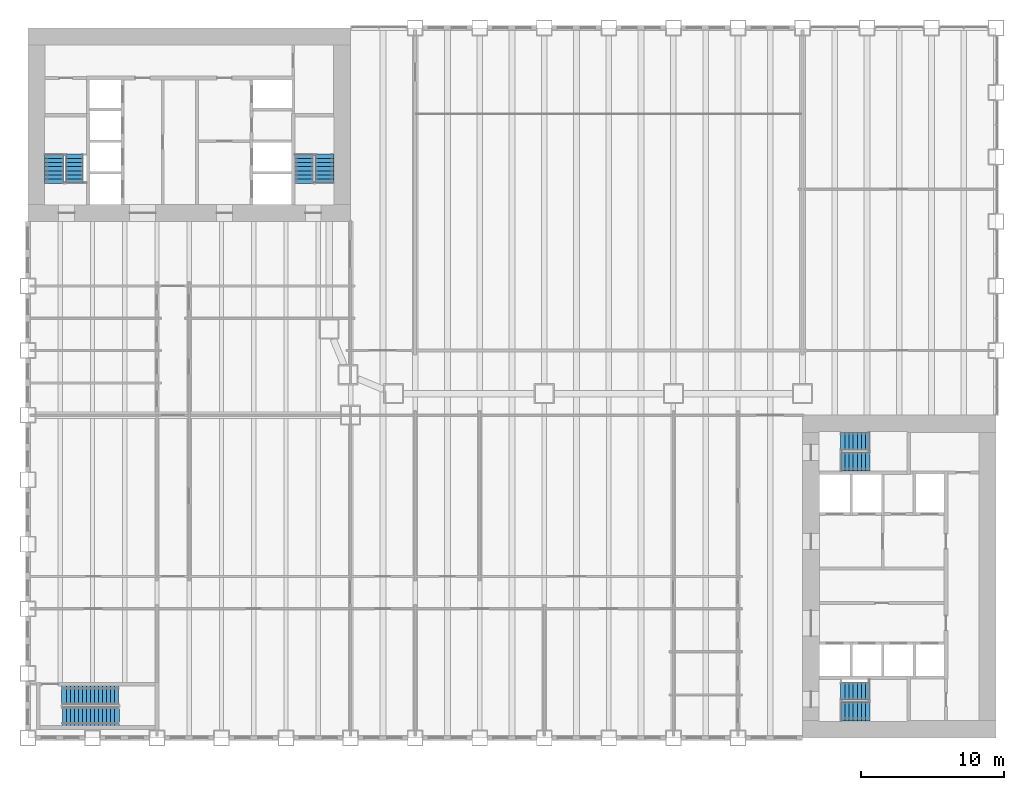
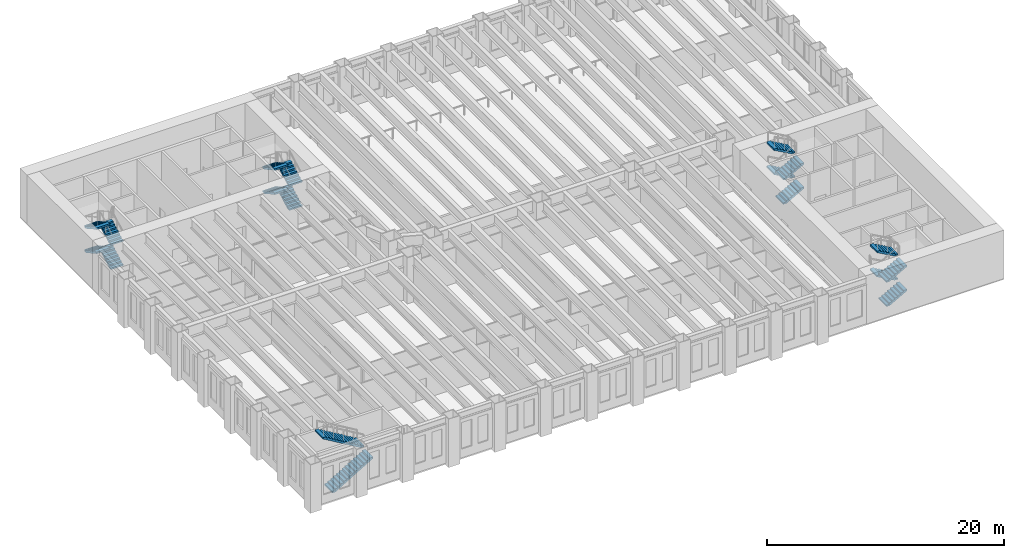
# One storey, part 15 of 19: 18 stair flights, 5 elements without a shape of their own.
"""IFC4 building model written with IfcOpenShell, lengths in metres."""

from ifc_helpers import new_model, si_unit, direction, frame, origin, place, context, subcontext, project, spatial, polyline, outline, extrude, material, type_object, element, aggregate, save


model = new_model("IFC4")

# Units and contexts
model_context = context("Model", 3, precision=1e-05, world=origin(), true_north=direction((0.0, 1.0)))
body_context = subcontext(model_context, "Body", "Model", "MODEL_VIEW")
ifc_project = project(units=[si_unit("LENGTHUNIT", "METRE"), si_unit("AREAUNIT", "SQUARE_METRE"), si_unit("VOLUMEUNIT", "CUBIC_METRE"), si_unit("PLANEANGLEUNIT", "RADIAN"), si_unit("MASSUNIT", "GRAM", prefix="KILO")], contexts=[model_context])

# Site, building, storey
site_placement = place(None, origin())
site = spatial("IfcSite", under=ifc_project, at=site_placement, CompositionType="ELEMENT")
building_placement = place(site_placement, origin())
building = spatial("IfcBuilding", under=site, at=building_placement, Name="Sennacour Bend Tower", CompositionType="ELEMENT")
storey_placement = place(building_placement, frame((0.0, 0.0, 14.0)))
storey = spatial("IfcBuildingStorey", under=building, at=storey_placement, Name="L02", CompositionType="ELEMENT", Elevation=14.0)

# Stair, stair flights
ifc_material = material(Name="Concrete C40/50", Category="concrete")
stair_type = type_object("IfcStairType", Name="ST-DOGLEG", PredefinedType="HALF_TURN_STAIR", material=ifc_material)
stair_1_placement = place(storey_placement, origin())
stair_1 = element("IfcStair", 1, at=stair_1_placement, inside=storey, type_object=stair_type, Name="L02 Exit stair A1", PredefinedType="HALF_TURN_STAIR")
stair_flight_type = type_object("IfcStairFlightType", Name="SFL-RC", PredefinedType="STRAIGHT", material=ifc_material)
stair_flight_1_placement = place(storey_placement, frame((56.699951171875, 1.8349609375, 0.0), z_axis=(0.0, 0.0, 1.0), x_axis=(1.0, 0.0, 0.0)))
stair_flight_1 = element("IfcStairFlight", 2, at=stair_flight_1_placement, type_object=stair_flight_type, Name="SA1 flight 1", NumberOfRisers=8, NumberOfTreads=7, PredefinedType="STRAIGHT", RiserHeight=0.15625, TreadLength=0.28, context=body_context, shape_type="SweptSolid", body=[
    extrude(outline(polyline([(0.0, 0.0), (0.0, 0.15625), (0.280029296875, 0.15625), (0.280029296875, 0.3125), (0.56005859375, 0.3125), (0.56005859375, 0.46875), (0.840087890625, 0.46875), (0.840087890625, 0.625), (1.1201171875, 0.625), (1.1201171875, 0.78125), (1.39990234375, 0.78125), (1.39990234375, 0.9375), (1.679931640625, 0.9375), (1.679931640625, 1.09375), (1.9599609375, 1.09375), (2.02001953125, 1.09375), (2.02001953125, 0.922119140625), (1.9599609375, 0.922119140625), (0.3076171875, 0.0), (0.0, 0.0)])), frame((0.0, 0.6650390625, 0.0), z_axis=(0.0, -1.0, 0.0), x_axis=(1.0, 0.0, 0.0)), (0.0, 0.0, 1.0), 1.330078125),
])
stair_flight_2_placement = place(storey_placement, frame((58.659912109375, 3.25, 1.25), z_axis=(0.0, 0.0, 1.0), x_axis=(-1.0, 0.0, 0.0)))
stair_flight_2 = element("IfcStairFlight", 3, at=stair_flight_2_placement, type_object=stair_flight_type, Name="SA1 flight 2", NumberOfRisers=8, NumberOfTreads=7, PredefinedType="STRAIGHT", RiserHeight=0.15625, TreadLength=0.28, context=body_context, shape_type="SweptSolid", body=[
    extrude(outline(polyline([(0.0, 0.0), (0.0, 0.15625), (0.280029296875, 0.15625), (0.280029296875, 0.3125), (0.56005859375, 0.3125), (0.56005859375, 0.46875), (0.840087890625, 0.46875), (0.840087890625, 0.625), (1.1201171875, 0.625), (1.1201171875, 0.78125), (1.39990234375, 0.78125), (1.39990234375, 0.9375), (1.679931640625, 0.9375), (1.679931640625, 1.09375), (1.9599609375, 1.09375), (2.02001953125, 1.09375), (2.02001953125, 0.922119140625), (1.9599609375, 0.922119140625), (0.3076171875, 0.0), (0.0, 0.0)])), frame((0.0, 0.60009765625, 0.0), z_axis=(0.0, -1.0, 0.0), x_axis=(1.0, 0.0, 0.0)), (0.0, 0.0, 1.0), 1.199951171875),
])
stair_flight_3_placement = place(storey_placement, frame((56.699951171875, 1.8349609375, 2.5), z_axis=(0.0, 0.0, 1.0), x_axis=(1.0, 0.0, 0.0)))
stair_flight_3 = element("IfcStairFlight", 4, at=stair_flight_3_placement, type_object=stair_flight_type, Name="SA1 flight 3", NumberOfRisers=8, NumberOfTreads=7, PredefinedType="STRAIGHT", RiserHeight=0.15625, TreadLength=0.28, context=body_context, shape_type="SweptSolid", body=[
    extrude(outline(polyline([(0.0, 0.0), (0.0, 0.15625), (0.280029296875, 0.15625), (0.280029296875, 0.3125), (0.56005859375, 0.3125), (0.56005859375, 0.46875), (0.840087890625, 0.46875), (0.840087890625, 0.625), (1.1201171875, 0.625), (1.1201171875, 0.78125), (1.39990234375, 0.78125), (1.39990234375, 0.9375), (1.679931640625, 0.9375), (1.679931640625, 1.09375), (1.9599609375, 1.09375), (2.02001953125, 1.09375), (2.02001953125, 0.922119140625), (1.9599609375, 0.922119140625), (0.3076171875, 0.0), (0.0, 0.0)])), frame((0.0, 0.6650390625, 0.0), z_axis=(0.0, -1.0, 0.0), x_axis=(1.0, 0.0, 0.0)), (0.0, 0.0, 1.0), 1.330078125),
])
stair_flight_4_placement = place(storey_placement, frame((58.659912109375, 3.25, 3.75), z_axis=(0.0, 0.0, 1.0), x_axis=(-1.0, 0.0, 0.0)))
stair_flight_4 = element("IfcStairFlight", 5, at=stair_flight_4_placement, type_object=stair_flight_type, Name="SA1 flight 4", NumberOfRisers=8, NumberOfTreads=7, PredefinedType="STRAIGHT", RiserHeight=0.15625, TreadLength=0.28, context=body_context, shape_type="SweptSolid", body=[
    extrude(outline(polyline([(0.0, 0.0), (0.0, 0.15625), (0.280029296875, 0.15625), (0.280029296875, 0.3125), (0.56005859375, 0.3125), (0.56005859375, 0.46875), (0.840087890625, 0.46875), (0.840087890625, 0.625), (1.1201171875, 0.625), (1.1201171875, 0.78125), (1.39990234375, 0.78125), (1.39990234375, 0.9375), (1.679931640625, 0.9375), (1.679931640625, 1.09375), (1.9599609375, 1.09375), (2.02001953125, 1.09375), (2.02001953125, 0.922119140625), (1.9599609375, 0.922119140625), (0.3076171875, 0.0), (0.0, 0.0)])), frame((0.0, 0.60009765625, 0.0), z_axis=(0.0, -1.0, 0.0), x_axis=(1.0, 0.0, 0.0)), (0.0, 0.0, 1.0), 1.199951171875),
])
aggregate(stair_1, [stair_flight_1, stair_flight_2, stair_flight_3, stair_flight_4])

stair_2_placement = place(storey_placement, origin())
stair_2 = element("IfcStair", 6, at=stair_2_placement, inside=storey, type_object=stair_type, Name="L02 Exit stair A2", PredefinedType="HALF_TURN_STAIR")
stair_flight_5_placement = place(storey_placement, frame((56.699951171875, 19.24755859375, 0.0), z_axis=(0.0, 0.0, 1.0), x_axis=(1.0, 0.0, 0.0)))
stair_flight_5 = element("IfcStairFlight", 7, at=stair_flight_5_placement, type_object=stair_flight_type, Name="SA2 flight 1", NumberOfRisers=8, NumberOfTreads=7, PredefinedType="STRAIGHT", RiserHeight=0.15625, TreadLength=0.28, context=body_context, shape_type="SweptSolid", body=[
    extrude(outline(polyline([(0.0, 0.0), (0.0, 0.15625), (0.280029296875, 0.15625), (0.280029296875, 0.3125), (0.56005859375, 0.3125), (0.56005859375, 0.46875), (0.840087890625, 0.46875), (0.840087890625, 0.625), (1.1201171875, 0.625), (1.1201171875, 0.78125), (1.39990234375, 0.78125), (1.39990234375, 0.9375), (1.679931640625, 0.9375), (1.679931640625, 1.09375), (1.9599609375, 1.09375), (2.02001953125, 1.09375), (2.02001953125, 0.922119140625), (1.9599609375, 0.922119140625), (0.3076171875, 0.0), (0.0, 0.0)])), frame((0.0, 0.65234375, 0.0), z_axis=(0.0, -1.0, 0.0), x_axis=(1.0, 0.0, 0.0)), (0.0, 0.0, 1.0), 1.304931640625),
])
stair_flight_6_placement = place(storey_placement, frame((58.659912109375, 20.68994140625, 1.25), z_axis=(0.0, 0.0, 1.0), x_axis=(-1.0, 0.0, 0.0)))
stair_flight_6 = element("IfcStairFlight", 8, at=stair_flight_6_placement, type_object=stair_flight_type, Name="SA2 flight 2", NumberOfRisers=8, NumberOfTreads=7, PredefinedType="STRAIGHT", RiserHeight=0.15625, TreadLength=0.28, context=body_context, shape_type="SweptSolid", body=[
    extrude(outline(polyline([(0.0, 0.0), (0.0, 0.15625), (0.280029296875, 0.15625), (0.280029296875, 0.3125), (0.56005859375, 0.3125), (0.56005859375, 0.46875), (0.840087890625, 0.46875), (0.840087890625, 0.625), (1.1201171875, 0.625), (1.1201171875, 0.78125), (1.39990234375, 0.78125), (1.39990234375, 0.9375), (1.679931640625, 0.9375), (1.679931640625, 1.09375), (1.9599609375, 1.09375), (2.02001953125, 1.09375), (2.02001953125, 0.922119140625), (1.9599609375, 0.922119140625), (0.3076171875, 0.0), (0.0, 0.0)])), frame((0.0, 0.64013671875, 0.0), z_axis=(0.0, -1.0, 0.0), x_axis=(1.0, 0.0, 0.0)), (0.0, 0.0, 1.0), 1.280029296875),
])
stair_flight_7_placement = place(storey_placement, frame((56.699951171875, 19.24755859375, 2.5), z_axis=(0.0, 0.0, 1.0), x_axis=(1.0, 0.0, 0.0)))
stair_flight_7 = element("IfcStairFlight", 9, at=stair_flight_7_placement, type_object=stair_flight_type, Name="SA2 flight 3", NumberOfRisers=8, NumberOfTreads=7, PredefinedType="STRAIGHT", RiserHeight=0.15625, TreadLength=0.28, context=body_context, shape_type="SweptSolid", body=[
    extrude(outline(polyline([(0.0, 0.0), (0.0, 0.15625), (0.280029296875, 0.15625), (0.280029296875, 0.3125), (0.56005859375, 0.3125), (0.56005859375, 0.46875), (0.840087890625, 0.46875), (0.840087890625, 0.625), (1.1201171875, 0.625), (1.1201171875, 0.78125), (1.39990234375, 0.78125), (1.39990234375, 0.9375), (1.679931640625, 0.9375), (1.679931640625, 1.09375), (1.9599609375, 1.09375), (2.02001953125, 1.09375), (2.02001953125, 0.922119140625), (1.9599609375, 0.922119140625), (0.3076171875, 0.0), (0.0, 0.0)])), frame((0.0, 0.65234375, 0.0), z_axis=(0.0, -1.0, 0.0), x_axis=(1.0, 0.0, 0.0)), (0.0, 0.0, 1.0), 1.304931640625),
])
stair_flight_8_placement = place(storey_placement, frame((58.659912109375, 20.68994140625, 3.75), z_axis=(0.0, 0.0, 1.0), x_axis=(-1.0, 0.0, 0.0)))
stair_flight_8 = element("IfcStairFlight", 10, at=stair_flight_8_placement, type_object=stair_flight_type, Name="SA2 flight 4", NumberOfRisers=8, NumberOfTreads=7, PredefinedType="STRAIGHT", RiserHeight=0.15625, TreadLength=0.28, context=body_context, shape_type="SweptSolid", body=[
    extrude(outline(polyline([(0.0, 0.0), (0.0, 0.15625), (0.280029296875, 0.15625), (0.280029296875, 0.3125), (0.56005859375, 0.3125), (0.56005859375, 0.46875), (0.840087890625, 0.46875), (0.840087890625, 0.625), (1.1201171875, 0.625), (1.1201171875, 0.78125), (1.39990234375, 0.78125), (1.39990234375, 0.9375), (1.679931640625, 0.9375), (1.679931640625, 1.09375), (1.9599609375, 1.09375), (2.02001953125, 1.09375), (2.02001953125, 0.922119140625), (1.9599609375, 0.922119140625), (0.3076171875, 0.0), (0.0, 0.0)])), frame((0.0, 0.64013671875, 0.0), z_axis=(0.0, -1.0, 0.0), x_axis=(1.0, 0.0, 0.0)), (0.0, 0.0, 1.0), 1.280029296875),
])
aggregate(stair_2, [stair_flight_5, stair_flight_6, stair_flight_7, stair_flight_8])

stair_3_placement = place(storey_placement, origin())
stair_3 = element("IfcStair", 11, at=stair_3_placement, inside=storey, type_object=stair_type, Name="L02 Exit stair B1", PredefinedType="HALF_TURN_STAIR")
stair_flight_9_placement = place(storey_placement, frame((3.25, 38.699951171875, 0.0), z_axis=(0.0, 0.0, 1.0), x_axis=(0.0, 1.0, 0.0)))
stair_flight_9 = element("IfcStairFlight", 12, at=stair_flight_9_placement, type_object=stair_flight_type, Name="SB1 flight 1", NumberOfRisers=8, NumberOfTreads=7, PredefinedType="STRAIGHT", RiserHeight=0.15625, TreadLength=0.28, context=body_context, shape_type="SweptSolid", body=[
    extrude(outline(polyline([(0.0, 0.0), (0.0, 0.15625), (0.280029296875, 0.15625), (0.280029296875, 0.3125), (0.56005859375, 0.3125), (0.56005859375, 0.46875), (0.840087890625, 0.46875), (0.840087890625, 0.625), (1.1201171875, 0.625), (1.1201171875, 0.78125), (1.39990234375, 0.78125), (1.39990234375, 0.9375), (1.679931640625, 0.9375), (1.679931640625, 1.09375), (1.9599609375, 1.09375), (2.02001953125, 1.09375), (2.02001953125, 0.922119140625), (1.9599609375, 0.922119140625), (0.3076171875, 0.0), (0.0, 0.0)])), frame((0.0, 0.60009765625, 0.0), z_axis=(0.0, -1.0, 0.0), x_axis=(1.0, 0.0, 0.0)), (0.0, 0.0, 1.0), 1.199951171875),
])
stair_flight_10_placement = place(storey_placement, frame((1.8349609375, 40.659912109375, 1.25), z_axis=(0.0, 0.0, 1.0), x_axis=(0.0, -1.0, 0.0)))
stair_flight_10 = element("IfcStairFlight", 13, at=stair_flight_10_placement, type_object=stair_flight_type, Name="SB1 flight 2", NumberOfRisers=8, NumberOfTreads=7, PredefinedType="STRAIGHT", RiserHeight=0.15625, TreadLength=0.28, context=body_context, shape_type="SweptSolid", body=[
    extrude(outline(polyline([(0.0, 0.0), (0.0, 0.15625), (0.280029296875, 0.15625), (0.280029296875, 0.3125), (0.56005859375, 0.3125), (0.56005859375, 0.46875), (0.840087890625, 0.46875), (0.840087890625, 0.625), (1.1201171875, 0.625), (1.1201171875, 0.78125), (1.39990234375, 0.78125), (1.39990234375, 0.9375), (1.679931640625, 0.9375), (1.679931640625, 1.09375), (1.9599609375, 1.09375), (2.02001953125, 1.09375), (2.02001953125, 0.922119140625), (1.9599609375, 0.922119140625), (0.3076171875, 0.0), (0.0, 0.0)])), frame((0.0, 0.6650390625, 0.0), z_axis=(0.0, -1.0, 0.0), x_axis=(1.0, 0.0, 0.0)), (0.0, 0.0, 1.0), 1.330078125),
])
stair_flight_11_placement = place(storey_placement, frame((3.25, 38.699951171875, 2.5), z_axis=(0.0, 0.0, 1.0), x_axis=(0.0, 1.0, 0.0)))
stair_flight_11 = element("IfcStairFlight", 14, at=stair_flight_11_placement, type_object=stair_flight_type, Name="SB1 flight 3", NumberOfRisers=8, NumberOfTreads=7, PredefinedType="STRAIGHT", RiserHeight=0.15625, TreadLength=0.28, context=body_context, shape_type="SweptSolid", body=[
    extrude(outline(polyline([(0.0, 0.0), (0.0, 0.15625), (0.280029296875, 0.15625), (0.280029296875, 0.3125), (0.56005859375, 0.3125), (0.56005859375, 0.46875), (0.840087890625, 0.46875), (0.840087890625, 0.625), (1.1201171875, 0.625), (1.1201171875, 0.78125), (1.39990234375, 0.78125), (1.39990234375, 0.9375), (1.679931640625, 0.9375), (1.679931640625, 1.09375), (1.9599609375, 1.09375), (2.02001953125, 1.09375), (2.02001953125, 0.922119140625), (1.9599609375, 0.922119140625), (0.3076171875, 0.0), (0.0, 0.0)])), frame((0.0, 0.60009765625, 0.0), z_axis=(0.0, -1.0, 0.0), x_axis=(1.0, 0.0, 0.0)), (0.0, 0.0, 1.0), 1.199951171875),
])
stair_flight_12_placement = place(storey_placement, frame((1.8349609375, 40.659912109375, 3.75), z_axis=(0.0, 0.0, 1.0), x_axis=(0.0, -1.0, 0.0)))
stair_flight_12 = element("IfcStairFlight", 15, at=stair_flight_12_placement, type_object=stair_flight_type, Name="SB1 flight 4", NumberOfRisers=8, NumberOfTreads=7, PredefinedType="STRAIGHT", RiserHeight=0.15625, TreadLength=0.28, context=body_context, shape_type="SweptSolid", body=[
    extrude(outline(polyline([(0.0, 0.0), (0.0, 0.15625), (0.280029296875, 0.15625), (0.280029296875, 0.3125), (0.56005859375, 0.3125), (0.56005859375, 0.46875), (0.840087890625, 0.46875), (0.840087890625, 0.625), (1.1201171875, 0.625), (1.1201171875, 0.78125), (1.39990234375, 0.78125), (1.39990234375, 0.9375), (1.679931640625, 0.9375), (1.679931640625, 1.09375), (1.9599609375, 1.09375), (2.02001953125, 1.09375), (2.02001953125, 0.922119140625), (1.9599609375, 0.922119140625), (0.3076171875, 0.0), (0.0, 0.0)])), frame((0.0, 0.6650390625, 0.0), z_axis=(0.0, -1.0, 0.0), x_axis=(1.0, 0.0, 0.0)), (0.0, 0.0, 1.0), 1.330078125),
])
aggregate(stair_3, [stair_flight_9, stair_flight_10, stair_flight_11, stair_flight_12])

stair_4_placement = place(storey_placement, origin())
stair_4 = element("IfcStair", 16, at=stair_4_placement, inside=storey, type_object=stair_type, Name="L02 Exit stair B2", PredefinedType="HALF_TURN_STAIR")
stair_flight_13_placement = place(storey_placement, frame((20.68994140625, 38.699951171875, 0.0), z_axis=(0.0, 0.0, 1.0), x_axis=(0.0, 1.0, 0.0)))
stair_flight_13 = element("IfcStairFlight", 17, at=stair_flight_13_placement, type_object=stair_flight_type, Name="SB2 flight 1", NumberOfRisers=8, NumberOfTreads=7, PredefinedType="STRAIGHT", RiserHeight=0.15625, TreadLength=0.28, context=body_context, shape_type="SweptSolid", body=[
    extrude(outline(polyline([(0.0, 0.0), (0.0, 0.15625), (0.280029296875, 0.15625), (0.280029296875, 0.3125), (0.56005859375, 0.3125), (0.56005859375, 0.46875), (0.840087890625, 0.46875), (0.840087890625, 0.625), (1.1201171875, 0.625), (1.1201171875, 0.78125), (1.39990234375, 0.78125), (1.39990234375, 0.9375), (1.679931640625, 0.9375), (1.679931640625, 1.09375), (1.9599609375, 1.09375), (2.02001953125, 1.09375), (2.02001953125, 0.922119140625), (1.9599609375, 0.922119140625), (0.3076171875, 0.0), (0.0, 0.0)])), frame((0.0, 0.64013671875, 0.0), z_axis=(0.0, -1.0, 0.0), x_axis=(1.0, 0.0, 0.0)), (0.0, 0.0, 1.0), 1.280029296875),
])
stair_flight_14_placement = place(storey_placement, frame((19.24755859375, 40.659912109375, 1.25), z_axis=(0.0, 0.0, 1.0), x_axis=(0.0, -1.0, 0.0)))
stair_flight_14 = element("IfcStairFlight", 18, at=stair_flight_14_placement, type_object=stair_flight_type, Name="SB2 flight 2", NumberOfRisers=8, NumberOfTreads=7, PredefinedType="STRAIGHT", RiserHeight=0.15625, TreadLength=0.28, context=body_context, shape_type="SweptSolid", body=[
    extrude(outline(polyline([(0.0, 0.0), (0.0, 0.15625), (0.280029296875, 0.15625), (0.280029296875, 0.3125), (0.56005859375, 0.3125), (0.56005859375, 0.46875), (0.840087890625, 0.46875), (0.840087890625, 0.625), (1.1201171875, 0.625), (1.1201171875, 0.78125), (1.39990234375, 0.78125), (1.39990234375, 0.9375), (1.679931640625, 0.9375), (1.679931640625, 1.09375), (1.9599609375, 1.09375), (2.02001953125, 1.09375), (2.02001953125, 0.922119140625), (1.9599609375, 0.922119140625), (0.3076171875, 0.0), (0.0, 0.0)])), frame((0.0, 0.65234375, 0.0), z_axis=(0.0, -1.0, 0.0), x_axis=(1.0, 0.0, 0.0)), (0.0, 0.0, 1.0), 1.304931640625),
])
stair_flight_15_placement = place(storey_placement, frame((20.68994140625, 38.699951171875, 2.5), z_axis=(0.0, 0.0, 1.0), x_axis=(0.0, 1.0, 0.0)))
stair_flight_15 = element("IfcStairFlight", 19, at=stair_flight_15_placement, type_object=stair_flight_type, Name="SB2 flight 3", NumberOfRisers=8, NumberOfTreads=7, PredefinedType="STRAIGHT", RiserHeight=0.15625, TreadLength=0.28, context=body_context, shape_type="SweptSolid", body=[
    extrude(outline(polyline([(0.0, 0.0), (0.0, 0.15625), (0.280029296875, 0.15625), (0.280029296875, 0.3125), (0.56005859375, 0.3125), (0.56005859375, 0.46875), (0.840087890625, 0.46875), (0.840087890625, 0.625), (1.1201171875, 0.625), (1.1201171875, 0.78125), (1.39990234375, 0.78125), (1.39990234375, 0.9375), (1.679931640625, 0.9375), (1.679931640625, 1.09375), (1.9599609375, 1.09375), (2.02001953125, 1.09375), (2.02001953125, 0.922119140625), (1.9599609375, 0.922119140625), (0.3076171875, 0.0), (0.0, 0.0)])), frame((0.0, 0.64013671875, 0.0), z_axis=(0.0, -1.0, 0.0), x_axis=(1.0, 0.0, 0.0)), (0.0, 0.0, 1.0), 1.280029296875),
])
stair_flight_16_placement = place(storey_placement, frame((19.24755859375, 40.659912109375, 3.75), z_axis=(0.0, 0.0, 1.0), x_axis=(0.0, -1.0, 0.0)))
stair_flight_16 = element("IfcStairFlight", 20, at=stair_flight_16_placement, type_object=stair_flight_type, Name="SB2 flight 4", NumberOfRisers=8, NumberOfTreads=7, PredefinedType="STRAIGHT", RiserHeight=0.15625, TreadLength=0.28, context=body_context, shape_type="SweptSolid", body=[
    extrude(outline(polyline([(0.0, 0.0), (0.0, 0.15625), (0.280029296875, 0.15625), (0.280029296875, 0.3125), (0.56005859375, 0.3125), (0.56005859375, 0.46875), (0.840087890625, 0.46875), (0.840087890625, 0.625), (1.1201171875, 0.625), (1.1201171875, 0.78125), (1.39990234375, 0.78125), (1.39990234375, 0.9375), (1.679931640625, 0.9375), (1.679931640625, 1.09375), (1.9599609375, 1.09375), (2.02001953125, 1.09375), (2.02001953125, 0.922119140625), (1.9599609375, 0.922119140625), (0.3076171875, 0.0), (0.0, 0.0)])), frame((0.0, 0.65234375, 0.0), z_axis=(0.0, -1.0, 0.0), x_axis=(1.0, 0.0, 0.0)), (0.0, 0.0, 1.0), 1.304931640625),
])
aggregate(stair_4, [stair_flight_13, stair_flight_14, stair_flight_15, stair_flight_16])

stair_5_placement = place(storey_placement, origin())
stair_5 = element("IfcStair", 21, at=stair_5_placement, inside=storey, type_object=stair_type, Name="L02 Exit stair K1", PredefinedType="HALF_TURN_STAIR")
stair_flight_17_placement = place(storey_placement, frame((2.39990234375, 1.485107421875, 0.0), z_axis=(0.0, 0.0, 1.0), x_axis=(1.0, 0.0, 0.0)))
stair_flight_17 = element("IfcStairFlight", 22, at=stair_flight_17_placement, type_object=stair_flight_type, Name="SK1 flight 1", NumberOfRisers=15, NumberOfTreads=14, PredefinedType="STRAIGHT", RiserHeight=0.166666667, TreadLength=0.28, context=body_context, shape_type="SweptSolid", body=[
    extrude(outline(polyline([(0.0, 0.0), (0.0, 0.166748046875), (0.280029296875, 0.166748046875), (0.280029296875, 0.333251953125), (0.56005859375, 0.333251953125), (0.56005859375, 0.5), (0.840087890625, 0.5), (0.840087890625, 0.666748046875), (1.1201171875, 0.666748046875), (1.1201171875, 0.833251953125), (1.39990234375, 0.833251953125), (1.39990234375, 1.0), (1.679931640625, 1.0), (1.679931640625, 1.166748046875), (1.9599609375, 1.166748046875), (1.9599609375, 1.333251953125), (2.239990234375, 1.333251953125), (2.239990234375, 1.5), (2.52001953125, 1.5), (2.52001953125, 1.666748046875), (2.800048828125, 1.666748046875), (2.800048828125, 1.833251953125), (3.080078125, 1.833251953125), (3.080078125, 2.0), (3.360107421875, 2.0), (3.360107421875, 2.166748046875), (3.639892578125, 2.166748046875), (3.639892578125, 2.333251953125), (3.919921875, 2.333251953125), (3.97998046875, 2.333251953125), (3.97998046875, 2.158935546875), (3.919921875, 2.158935546875), (0.29296875, 0.0), (0.0, 0.0)])), frame((0.0, 0.6650390625, 0.0), z_axis=(0.0, -1.0, 0.0), x_axis=(1.0, 0.0, 0.0)), (0.0, 0.0, 1.0), 1.330078125),
])
stair_flight_18_placement = place(storey_placement, frame((6.320068359375, 2.9775390625, 2.5), z_axis=(0.0, 0.0, 1.0), x_axis=(-1.0, 0.0, 0.0)))
stair_flight_18 = element("IfcStairFlight", 23, at=stair_flight_18_placement, type_object=stair_flight_type, Name="SK1 flight 2", NumberOfRisers=15, NumberOfTreads=14, PredefinedType="STRAIGHT", RiserHeight=0.166666667, TreadLength=0.28, context=body_context, shape_type="SweptSolid", body=[
    extrude(outline(polyline([(0.0, 0.0), (0.0, 0.166748046875), (0.280029296875, 0.166748046875), (0.280029296875, 0.333251953125), (0.56005859375, 0.333251953125), (0.56005859375, 0.5), (0.840087890625, 0.5), (0.840087890625, 0.666748046875), (1.1201171875, 0.666748046875), (1.1201171875, 0.833251953125), (1.39990234375, 0.833251953125), (1.39990234375, 1.0), (1.679931640625, 1.0), (1.679931640625, 1.166748046875), (1.9599609375, 1.166748046875), (1.9599609375, 1.333251953125), (2.239990234375, 1.333251953125), (2.239990234375, 1.5), (2.52001953125, 1.5), (2.52001953125, 1.666748046875), (2.800048828125, 1.666748046875), (2.800048828125, 1.833251953125), (3.080078125, 1.833251953125), (3.080078125, 2.0), (3.360107421875, 2.0), (3.360107421875, 2.166748046875), (3.639892578125, 2.166748046875), (3.639892578125, 2.333251953125), (3.919921875, 2.333251953125), (3.97998046875, 2.333251953125), (3.97998046875, 2.158935546875), (3.919921875, 2.158935546875), (0.29296875, 0.0), (0.0, 0.0)])), frame((0.0, 0.677490234375, 0.0), z_axis=(0.0, -1.0, 0.0), x_axis=(1.0, 0.0, 0.0)), (0.0, 0.0, 1.0), 1.35498046875),
])
aggregate(stair_5, [stair_flight_17, stair_flight_18])

save(model, "model.ifc")
